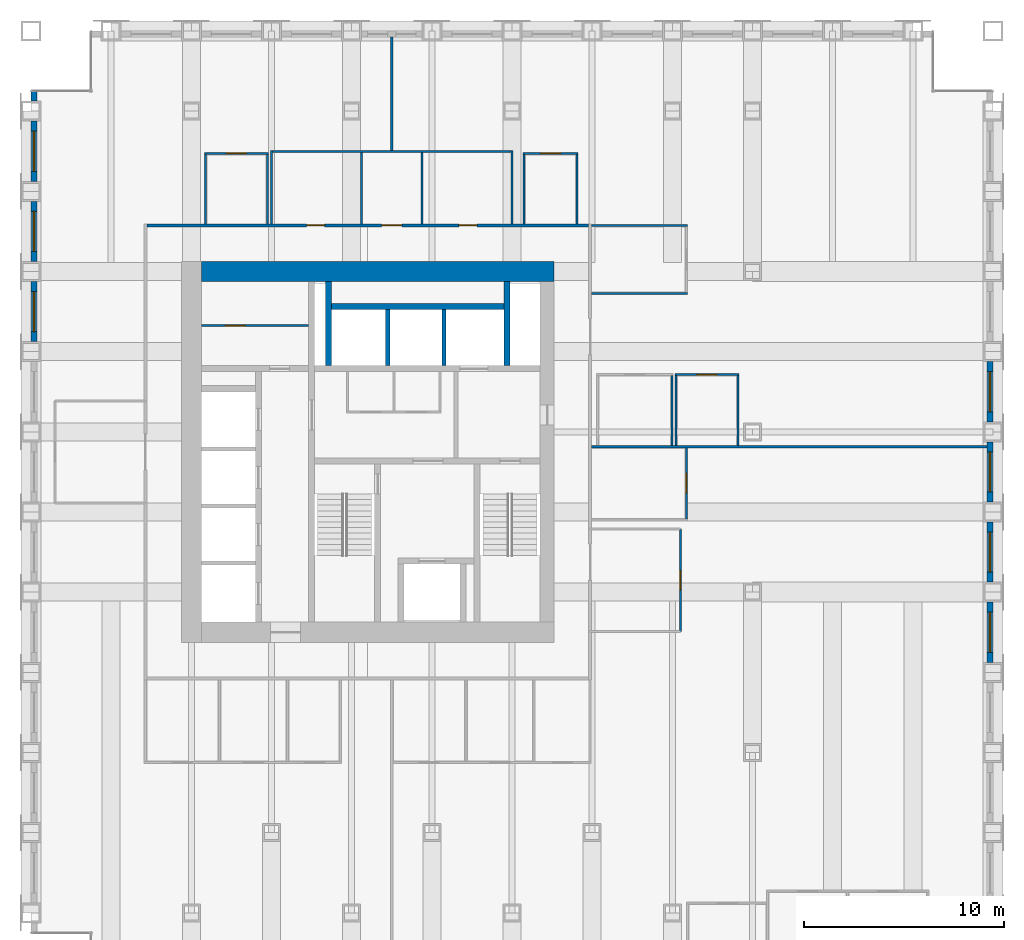
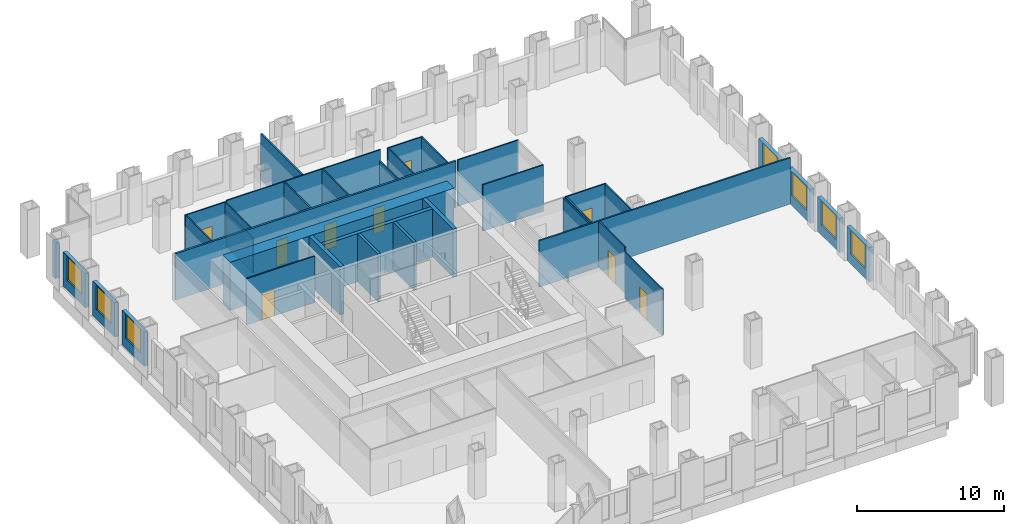
# One storey, part 13 of 16: 37 walls, 9 doors, 7 windows, 16 openings.
"""IFC4 building model written with IfcOpenShell, lengths in metres."""

from ifc_helpers import new_model, si_unit, direction, frame, frame_2d, origin, place, context, subcontext, project, spatial, rectangle, extrude, material, layer, layer_set, type_object, element, fill, save


model = new_model("IFC4")

# Units and contexts
model_context = context("Model", 3, precision=1e-05, world=origin(), true_north=direction((0.0, 1.0)))
body_context = subcontext(model_context, "Body", "Model", "MODEL_VIEW")
ifc_project = project(units=[si_unit("LENGTHUNIT", "METRE"), si_unit("AREAUNIT", "SQUARE_METRE"), si_unit("VOLUMEUNIT", "CUBIC_METRE"), si_unit("PLANEANGLEUNIT", "RADIAN"), si_unit("MASSUNIT", "GRAM", prefix="KILO")], contexts=[model_context])

# Site, building, storey
site_placement = place(None, origin())
site = spatial("IfcSite", under=ifc_project, at=site_placement, CompositionType="ELEMENT")
building_placement = place(site_placement, origin())
building = spatial("IfcBuilding", under=site, at=building_placement, Name="Rimbunsela Tower", CompositionType="ELEMENT")
storey_placement = place(building_placement, frame((0.0, 0.0, 93.39990234375)))
storey = spatial("IfcBuildingStorey", under=building, at=storey_placement, Name="L22", CompositionType="ELEMENT", Elevation=93.39990234375)

# Walls
ifc_material_1 = material(Name="Concrete fc' 80 MPa", Category="concrete")
ifc_layer_1 = layer(ifc_material_1, 0.300048828125)
ifc_layer_set_1 = layer_set([ifc_layer_1], Name="Core internal wall 300")
wall_type_1 = type_object("IfcWallType", Name="Core internal wall 300", PredefinedType="SHEAR", material=ifc_layer_set_1)
for number, where, z_axis, x_axis, name in (
    (1, (24.85009765625, 31.300048828125, -0.14990234375), (0.0, 0.0, 1.0), (0.0, 1.0, 0.0), "Riser wall"),
    (2, (33.75, 31.300048828125, -0.14990234375), (0.0, 0.0, 1.0), (0.0, 1.0, 0.0), "Riser wall"),
):
    element("IfcWall", number, at=place(storey_placement, frame(where, z_axis=z_axis, x_axis=x_axis)), inside=storey, type_object=wall_type_1, Name=name, PredefinedType="SHEAR", context=body_context, shape_type="SweptSolid", body=[
        extrude(rectangle(XDim=4.199951171875, YDim=0.300048828125, at=frame_2d((2.10009765625, 0.0))), origin(), (0.0, 0.0, 1.0), 4.0),
    ])
wall_1_placement = place(storey_placement, frame((25.0, 34.25, -0.14990234375), z_axis=(0.0, 0.0, 1.0), x_axis=(1.0, 0.0, 0.0)))
element("IfcWall", 3, at=wall_1_placement, inside=storey, type_object=wall_type_1, Name="Lift shaft rear north", PredefinedType="SHEAR", context=body_context, shape_type="SweptSolid", body=[
    extrude(rectangle(XDim=8.60009765625, YDim=0.300048828125, at=frame_2d((4.300048828125, 0.0))), origin(), (0.0, 0.0, 1.0), 4.0),
])

# Wall, opening, door
ifc_material_2 = material(Name="Concrete blockwork", Category="masonry")
ifc_layer_2 = layer(ifc_material_2, 0.10009765625)
ifc_layer_set_2 = layer_set([ifc_layer_2], Name="Core room partition 100")
wall_type_2 = type_object("IfcWallType", Name="Core room partition 100", PredefinedType="PARTITIONING", material=ifc_layer_set_2)
wall_2_placement = place(storey_placement, frame((18.5, 33.300048828125, 0.0), z_axis=(0.0, 0.0, 1.0), x_axis=(1.0, 0.0, 0.0)))
wall_2 = element("IfcWall", 4, at=wall_2_placement, inside=storey, type_object=wall_type_2, Name="Tenant store wall", PredefinedType="PARTITIONING", context=body_context, shape_type="SweptSolid", body=[
    extrude(rectangle(XDim=5.35009765625, YDim=0.10009765625, at=frame_2d((2.675048828125, 0.0))), origin(), (0.0, 0.0, 1.0), 3.85009765625),
])
opening_1_placement = place(wall_2_placement, frame((1.199951171875, 0.0, 0.0)))
opening_1 = element("IfcOpeningElement", 5, at=opening_1_placement, cuts=wall_2, Name="Opening D19", PredefinedType="OPENING", context=body_context, shape_type="SweptSolid", body=[
    extrude(rectangle(XDim=1.0, YDim=2.199951171875, at=frame_2d((0.5, 1.10009765625))), frame((0.0, 0.06005859375, 0.0), z_axis=(0.0, -1.0, 0.0), x_axis=(1.0, 0.0, 0.0)), (0.0, 0.0, 1.0), 0.1201171875),
])
ifc_material_3 = material(Name="Steel door, fire rated", Category="steel")
door_type_1 = type_object("IfcDoorType", Name="Service door 1000 fire rated", OperationType="SINGLE_SWING_LEFT", PredefinedType="DOOR", material=ifc_material_3)
door_1_placement = place(opening_1_placement, origin())
door_1 = element("IfcDoor", 6, at=door_1_placement, inside=storey, type_object=door_type_1, Name="Tenant store door", OperationType="SINGLE_SWING_LEFT", OverallHeight=2.199951171875, OverallWidth=1.0, PredefinedType="DOOR", context=body_context, shape_type="SweptSolid", body=[
    extrude(rectangle(XDim=1.0, YDim=2.199951171875, at=frame_2d((0.5, 1.10009765625))), frame((0.0, 0.02490234375, 0.0), z_axis=(0.0, -1.0, 0.0), x_axis=(1.0, 0.0, 0.0)), (0.0, 0.0, 1.0), 0.050048828125),
])
fill(opening_1, door_1)

# Walls
ifc_material_4 = material(Name="Concrete fc' 80 MPa", Category="concrete")
ifc_layer_3 = layer(ifc_material_4, 1.0)
ifc_layer_set_3 = layer_set([ifc_layer_3], Name="Core wall 1000")
wall_type_3 = type_object("IfcWallType", Name="Core wall 1000", PredefinedType="SHEAR", material=ifc_layer_set_3)
wall_3_placement = place(storey_placement, frame((18.5, 36.0, -0.14990234375), z_axis=(0.0, 0.0, 1.0), x_axis=(1.0, 0.0, 0.0)))
element("IfcWall", 7, at=wall_3_placement, inside=storey, type_object=wall_type_3, Name="Core wall north", PredefinedType="SHEAR", context=body_context, shape_type="SweptSolid", body=[
    extrude(rectangle(XDim=17.60009765625, YDim=1.0, at=frame_2d((8.800048828125, 0.0))), origin(), (0.0, 0.0, 1.0), 4.0),
])
ifc_material_5 = material(Name="Concrete blockwork", Category="masonry")
ifc_layer_4 = layer(ifc_material_5, 0.199951171875)
ifc_layer_set_4 = layer_set([ifc_layer_4], Name="Lift shaft wall 200")
wall_type_4 = type_object("IfcWallType", Name="Lift shaft wall 200", PredefinedType="SOLIDWALL", material=ifc_layer_set_4)
for number, where, z_axis, x_axis, name in (
    (8, (27.800048828125, 31.300048828125, -0.14990234375), (0.0, 0.0, 1.0), (0.0, 1.0, 0.0), "Lift shaft separation"),
    (9, (30.60009765625, 31.300048828125, -0.14990234375), (0.0, 0.0, 1.0), (0.0, 1.0, 0.0), "Lift shaft separation"),
):
    element("IfcWall", number, at=place(storey_placement, frame(where, z_axis=z_axis, x_axis=x_axis)), inside=storey, type_object=wall_type_4, Name=name, PredefinedType="SOLIDWALL", context=body_context, shape_type="SweptSolid", body=[
        extrude(rectangle(XDim=2.800048828125, YDim=0.199951171875, at=frame_2d((1.39990234375, 0.0))), origin(), (0.0, 0.0, 1.0), 4.0),
    ])

# Wall, opening, door
ifc_material_6 = material(Name="Gypsum board on steel studs", Category="steel")
ifc_layer_5 = layer(ifc_material_6, 0.10009765625)
ifc_layer_set_5 = layer_set([ifc_layer_5], Name="Office partition 100")
wall_type_5 = type_object("IfcWallType", Name="Office partition 100", PredefinedType="PARTITIONING", material=ifc_layer_set_5)
wall_4_placement = place(storey_placement, frame((42.125, 30.85009765625, 0.0), z_axis=(0.0, 0.0, 1.0), x_axis=(1.0, 0.0, 0.0)))
wall_4 = element("IfcWall", 10, at=wall_4_placement, inside=storey, type_object=wall_type_5, Name="Office partition", PredefinedType="PARTITIONING", context=body_context, shape_type="SweptSolid", body=[
    extrude(rectangle(XDim=3.199951171875, YDim=0.10009765625, at=frame_2d((1.60009765625, 0.0))), origin(), (0.0, 0.0, 1.0), 3.85009765625),
])
opening_2_placement = place(wall_4_placement, frame((1.10009765625, 0.0, 0.0)))
opening_2 = element("IfcOpeningElement", 11, at=opening_2_placement, cuts=wall_4, Name="Opening D16", PredefinedType="OPENING", context=body_context, shape_type="SweptSolid", body=[
    extrude(rectangle(XDim=1.0, YDim=2.199951171875, at=frame_2d((0.5, 1.10009765625))), frame((0.0, 0.06005859375, 0.0), z_axis=(0.0, -1.0, 0.0), x_axis=(1.0, 0.0, 0.0)), (0.0, 0.0, 1.0), 0.1201171875),
])
ifc_material_7 = material(Name="Timber door", Category="wood")
door_type_2 = type_object("IfcDoorType", Name="Office door 1000", OperationType="SINGLE_SWING_LEFT", PredefinedType="DOOR", material=ifc_material_7)
door_2_placement = place(opening_2_placement, origin())
door_2 = element("IfcDoor", 12, at=door_2_placement, inside=storey, type_object=door_type_2, Name="Office door", OperationType="SINGLE_SWING_LEFT", OverallHeight=2.199951171875, OverallWidth=1.0, PredefinedType="DOOR", context=body_context, shape_type="SweptSolid", body=[
    extrude(rectangle(XDim=1.0, YDim=2.199951171875, at=frame_2d((0.5, 1.10009765625))), frame((0.0, 0.02490234375, 0.0), z_axis=(0.0, -1.0, 0.0), x_axis=(1.0, 0.0, 0.0)), (0.0, 0.0, 1.0), 0.050048828125),
])
fill(opening_2, door_2)

# Walls
for number, where, z_axis, x_axis, name in (
    (13, (37.97509765625, 34.89990234375, 0.0), (0.0, 0.0, 1.0), (1.0, 0.0, 0.0), "Office partition"),
    (14, (37.97509765625, 38.300048828125, 0.0), (0.0, 0.0, 1.0), (1.0, 0.0, 0.0), "Office partition"),
):
    element("IfcWall", number, at=place(storey_placement, frame(where, z_axis=z_axis, x_axis=x_axis)), inside=storey, type_object=wall_type_5, Name=name, PredefinedType="PARTITIONING", context=body_context, shape_type="SweptSolid", body=[
        extrude(rectangle(XDim=4.77490234375, YDim=0.10009765625, at=frame_2d((2.387451171875, 0.0))), origin(), (0.0, 0.0, 1.0), 3.85009765625),
    ])

# Wall, opening, door
wall_5_placement = place(storey_placement, frame((18.64990234375, 41.89990234375, 0.0), z_axis=(0.0, 0.0, 1.0), x_axis=(1.0, 0.0, 0.0)))
wall_5 = element("IfcWall", 15, at=wall_5_placement, inside=storey, type_object=wall_type_5, Name="Office partition", PredefinedType="PARTITIONING", context=body_context, shape_type="SweptSolid", body=[
    extrude(rectangle(XDim=3.2001953125, YDim=0.10009765625, at=frame_2d((1.60009765625, 0.0))), origin(), (0.0, 0.0, 1.0), 3.85009765625),
])
opening_3_placement = place(wall_5_placement, frame((1.10009765625, 0.0, 0.0)))
opening_3 = element("IfcOpeningElement", 16, at=opening_3_placement, cuts=wall_5, Name="Opening D16", PredefinedType="OPENING", context=body_context, shape_type="SweptSolid", body=[
    extrude(rectangle(XDim=1.0, YDim=2.199951171875, at=frame_2d((0.5, 1.10009765625))), frame((0.0, 0.06005859375, 0.0), z_axis=(0.0, -1.0, 0.0), x_axis=(1.0, 0.0, 0.0)), (0.0, 0.0, 1.0), 0.1201171875),
])
door_3_placement = place(opening_3_placement, origin())
door_3 = element("IfcDoor", 17, at=door_3_placement, inside=storey, type_object=door_type_2, Name="Office door", OperationType="SINGLE_SWING_LEFT", OverallHeight=2.199951171875, OverallWidth=1.0, PredefinedType="DOOR", context=body_context, shape_type="SweptSolid", body=[
    extrude(rectangle(XDim=1.0, YDim=2.199951171875, at=frame_2d((0.5, 1.10009765625))), frame((0.0, 0.02490234375, 0.0), z_axis=(0.0, -1.0, 0.0), x_axis=(1.0, 0.0, 0.0)), (0.0, 0.0, 1.0), 0.050048828125),
])
fill(opening_3, door_3)

wall_6_placement = place(storey_placement, frame((34.550048828125, 41.89990234375, 0.0), z_axis=(0.0, 0.0, 1.0), x_axis=(1.0, 0.0, 0.0)))
wall_6 = element("IfcWall", 18, at=wall_6_placement, inside=storey, type_object=wall_type_5, Name="Office partition", PredefinedType="PARTITIONING", context=body_context, shape_type="SweptSolid", body=[
    extrude(rectangle(XDim=2.75, YDim=0.10009765625, at=frame_2d((1.375, 0.0))), origin(), (0.0, 0.0, 1.0), 3.85009765625),
])
opening_4_placement = place(wall_6_placement, frame((0.875, 0.0, 0.0)))
opening_4 = element("IfcOpeningElement", 19, at=opening_4_placement, cuts=wall_6, Name="Opening D16", PredefinedType="OPENING", context=body_context, shape_type="SweptSolid", body=[
    extrude(rectangle(XDim=1.0, YDim=2.199951171875, at=frame_2d((0.5, 1.10009765625))), frame((0.0, 0.06005859375, 0.0), z_axis=(0.0, -1.0, 0.0), x_axis=(1.0, 0.0, 0.0)), (0.0, 0.0, 1.0), 0.1201171875),
])
door_4_placement = place(opening_4_placement, origin())
door_4 = element("IfcDoor", 20, at=door_4_placement, inside=storey, type_object=door_type_2, Name="Office door", OperationType="SINGLE_SWING_LEFT", OverallHeight=2.199951171875, OverallWidth=1.0, PredefinedType="DOOR", context=body_context, shape_type="SweptSolid", body=[
    extrude(rectangle(XDim=1.0, YDim=2.199951171875, at=frame_2d((0.5, 1.10009765625))), frame((0.0, 0.02490234375, 0.0), z_axis=(0.0, -1.0, 0.0), x_axis=(1.0, 0.0, 0.0)), (0.0, 0.0, 1.0), 0.050048828125),
])
fill(opening_4, door_4)

# Walls
for number, where, z_axis, x_axis, name in (
    (21, (18.699951171875, 38.375, 0.0), (0.0, 0.0, 1.0), (0.0, 1.0, 0.0), "Office partition"),
    (22, (21.800048828125, 38.375, 0.0), (0.0, 0.0, 1.0), (0.0, 1.0, 0.0), "Office partition"),
    (23, (34.60009765625, 38.375, 0.0), (0.0, 0.0, 1.0), (0.0, 1.0, 0.0), "Office partition"),
    (24, (37.25, 38.375, 0.0), (0.0, 0.0, 1.0), (0.0, 1.0, 0.0), "Office partition"),
):
    element("IfcWall", number, at=place(storey_placement, frame(where, z_axis=z_axis, x_axis=x_axis)), inside=storey, type_object=wall_type_5, Name=name, PredefinedType="PARTITIONING", context=body_context, shape_type="SweptSolid", body=[
        extrude(rectangle(XDim=3.47509765625, YDim=0.10009765625, at=frame_2d((1.737548828125, 0.0))), origin(), (0.0, 0.0, 1.0), 3.85009765625),
    ])
for number, where, z_axis, x_axis, name in (
    (25, (41.97509765625, 27.31005859375, 0.0), (0.0, 0.0, 1.0), (0.0, 1.0, 0.0), "Office partition"),
    (26, (42.175048828125, 27.31005859375, 0.0), (0.0, 0.0, 1.0), (0.0, 1.0, 0.0), "Office partition"),
):
    element("IfcWall", number, at=place(storey_placement, frame(where, z_axis=z_axis, x_axis=x_axis)), inside=storey, type_object=wall_type_5, Name=name, PredefinedType="PARTITIONING", context=body_context, shape_type="SweptSolid", body=[
        extrude(rectangle(XDim=3.489990234375, YDim=0.10009765625, at=frame_2d((1.7451171875, 0.0))), origin(), (0.0, 0.0, 1.0), 3.85009765625),
    ])

# Wall, opening, door
wall_7_placement = place(storey_placement, frame((42.699951171875, 23.64892578125, 0.0), z_axis=(0.0, 0.0, 1.0), x_axis=(0.0, 1.0, 0.0)))
wall_7 = element("IfcWall", 27, at=wall_7_placement, inside=storey, type_object=wall_type_5, Name="Office partition", PredefinedType="PARTITIONING", context=body_context, shape_type="SweptSolid", body=[
    extrude(rectangle(XDim=3.5400390625, YDim=0.10009765625, at=frame_2d((1.77001953125, 0.0))), origin(), (0.0, 0.0, 1.0), 3.85009765625),
])
opening_5_placement = place(wall_7_placement, frame((1.27490234375, 0.0, 0.0)))
opening_5 = element("IfcOpeningElement", 28, at=opening_5_placement, cuts=wall_7, Name="Opening D16", PredefinedType="OPENING", context=body_context, shape_type="SweptSolid", body=[
    extrude(rectangle(XDim=1.0, YDim=2.199951171875, at=frame_2d((0.5, 1.10009765625))), frame((0.0, 0.06005859375, 0.0), z_axis=(0.0, -1.0, 0.0), x_axis=(1.0, 0.0, 0.0)), (0.0, 0.0, 1.0), 0.1201171875),
])
door_5_placement = place(opening_5_placement, origin())
door_5 = element("IfcDoor", 29, at=door_5_placement, inside=storey, type_object=door_type_2, Name="Office door", OperationType="SINGLE_SWING_LEFT", OverallHeight=2.199951171875, OverallWidth=1.0, PredefinedType="DOOR", context=body_context, shape_type="SweptSolid", body=[
    extrude(rectangle(XDim=1.0, YDim=2.199951171875, at=frame_2d((0.5, 1.10009765625))), frame((0.0, 0.02490234375, 0.0), z_axis=(0.0, -1.0, 0.0), x_axis=(1.0, 0.0, 0.0)), (0.0, 0.0, 1.0), 0.050048828125),
])
fill(opening_5, door_5)

# Wall
wall_8_placement = place(storey_placement, frame((45.27490234375, 27.31005859375, 0.0), z_axis=(0.0, 0.0, 1.0), x_axis=(0.0, 1.0, 0.0)))
element("IfcWall", 30, at=wall_8_placement, inside=storey, type_object=wall_type_5, Name="Office partition", PredefinedType="PARTITIONING", context=body_context, shape_type="SweptSolid", body=[
    extrude(rectangle(XDim=3.489990234375, YDim=0.10009765625, at=frame_2d((1.7451171875, 0.0))), origin(), (0.0, 0.0, 1.0), 3.85009765625),
])

# Wall, opening, door
wall_9_placement = place(storey_placement, frame((42.39990234375, 18.049072265625, 0.0), z_axis=(0.0, 0.0, 1.0), x_axis=(0.0, 1.0, 0.0)))
wall_9 = element("IfcWall", 31, at=wall_9_placement, inside=storey, type_object=wall_type_5, Name="Office partition", PredefinedType="PARTITIONING", context=body_context, shape_type="SweptSolid", body=[
    extrude(rectangle(XDim=5.099853515625, YDim=0.10009765625, at=frame_2d((2.5498046875, 0.0))), origin(), (0.0, 0.0, 1.0), 3.85009765625),
])
opening_6_placement = place(wall_9_placement, frame((2.050048828125, 0.0, 0.0)))
opening_6 = element("IfcOpeningElement", 32, at=opening_6_placement, cuts=wall_9, Name="Opening D17", PredefinedType="OPENING", context=body_context, shape_type="SweptSolid", body=[
    extrude(rectangle(XDim=1.0, YDim=2.199951171875, at=frame_2d((0.5, 1.10009765625))), frame((0.0, 0.06005859375, 0.0), z_axis=(0.0, -1.0, 0.0), x_axis=(1.0, 0.0, 0.0)), (0.0, 0.0, 1.0), 0.1201171875),
])
ifc_material_8 = material(Name="Glazed aluminium door", Category="aluminium")
door_type_3 = type_object("IfcDoorType", Name="Meeting room door 1000 glazed", OperationType="SINGLE_SWING_RIGHT", PredefinedType="DOOR", material=ifc_material_8)
door_6_placement = place(opening_6_placement, origin())
door_6 = element("IfcDoor", 33, at=door_6_placement, inside=storey, type_object=door_type_3, Name="Reception door", OperationType="SINGLE_SWING_RIGHT", OverallHeight=2.199951171875, OverallWidth=1.0, PredefinedType="DOOR", context=body_context, shape_type="SweptSolid", body=[
    extrude(rectangle(XDim=1.0, YDim=2.199951171875, at=frame_2d((0.5, 1.10009765625))), frame((0.0, 0.02490234375, 0.0), z_axis=(0.0, -1.0, 0.0), x_axis=(1.0, 0.0, 0.0)), (0.0, 0.0, 1.0), 0.050048828125),
])
fill(opening_6, door_6)

# Wall, opening, window
ifc_material_9 = material(Name="Precast concrete fc' 35 MPa", Category="concrete")
ifc_layer_6 = layer(ifc_material_9, 0.300048828125)
ifc_layer_set_6 = layer_set([ifc_layer_6], Name="Precast concrete fc' 35 MPa")
wall_type_6 = type_object("IfcWallType", Name="Precast facade panel 300", PredefinedType="ELEMENTEDWALL", material=ifc_layer_set_6)
wall_10_placement = place(storey_placement, frame((57.85009765625, 16.5, 0.0), z_axis=(0.0, 0.0, 1.0), x_axis=(0.0, 1.0, 0.0)))
wall_10 = element("IfcWall", 34, at=wall_10_placement, inside=storey, type_object=wall_type_6, Name="Facade panel E L22", PredefinedType="ELEMENTEDWALL", context=body_context, shape_type="SweptSolid", body=[
    extrude(rectangle(XDim=3.0, YDim=0.300048828125, at=frame_2d((1.5, 0.0))), origin(), (0.0, 0.0, 1.0), 2.85009765625),
])
opening_7_placement = place(wall_10_placement, frame((0.5, 0.0, 0.800048828125)))
opening_7 = element("IfcOpeningElement", 35, at=opening_7_placement, cuts=wall_10, Name="Opening W1", PredefinedType="OPENING", context=body_context, shape_type="SweptSolid", body=[
    extrude(rectangle(XDim=2.0, YDim=2.0, at=frame_2d((1.0, 1.0))), frame((0.0, 0.159912109375, 0.0), z_axis=(0.0, -1.0, 0.0), x_axis=(1.0, 0.0, 0.0)), (0.0, 0.0, 1.0), 0.320068359375),
])
ifc_material_10 = material(Name="Clear glass in aluminium frame", Category="aluminium")
window_type = type_object("IfcWindowType", Name="Window W1 2000x2000", PartitioningType="DOUBLE_PANEL_VERTICAL", PredefinedType="WINDOW", material=ifc_material_10)
window_1_placement = place(opening_7_placement, origin())
window_1 = element("IfcWindow", 36, at=window_1_placement, inside=storey, type_object=window_type, Name="Window L22", OverallHeight=2.0, OverallWidth=2.0, PartitioningType="SINGLE_PANEL", PredefinedType="WINDOW", context=body_context, shape_type="SweptSolid", body=[
    extrude(rectangle(XDim=2.0, YDim=2.0, at=frame_2d((1.0, 1.0))), frame((0.0, 0.030029296875, 0.0), z_axis=(0.0, -1.0, 0.0), x_axis=(1.0, 0.0, 0.0)), (0.0, 0.0, 1.0), 0.06005859375),
])
fill(opening_7, window_1)

wall_11_placement = place(storey_placement, frame((57.85009765625, 20.5, 0.0), z_axis=(0.0, 0.0, 1.0), x_axis=(0.0, 1.0, 0.0)))
wall_11 = element("IfcWall", 37, at=wall_11_placement, inside=storey, type_object=wall_type_6, Name="Facade panel E L22", PredefinedType="ELEMENTEDWALL", context=body_context, shape_type="SweptSolid", body=[
    extrude(rectangle(XDim=3.0, YDim=0.300048828125, at=frame_2d((1.5, 0.0))), origin(), (0.0, 0.0, 1.0), 2.85009765625),
])
opening_8_placement = place(wall_11_placement, frame((0.5, 0.0, 0.800048828125)))
opening_8 = element("IfcOpeningElement", 38, at=opening_8_placement, cuts=wall_11, Name="Opening W1", PredefinedType="OPENING", context=body_context, shape_type="SweptSolid", body=[
    extrude(rectangle(XDim=2.0, YDim=2.0, at=frame_2d((1.0, 1.0))), frame((0.0, 0.159912109375, 0.0), z_axis=(0.0, -1.0, 0.0), x_axis=(1.0, 0.0, 0.0)), (0.0, 0.0, 1.0), 0.320068359375),
])
window_2_placement = place(opening_8_placement, origin())
window_2 = element("IfcWindow", 39, at=window_2_placement, inside=storey, type_object=window_type, Name="Window L22", OverallHeight=2.0, OverallWidth=2.0, PartitioningType="SINGLE_PANEL", PredefinedType="WINDOW", context=body_context, shape_type="SweptSolid", body=[
    extrude(rectangle(XDim=2.0, YDim=2.0, at=frame_2d((1.0, 1.0))), frame((0.0, 0.030029296875, 0.0), z_axis=(0.0, -1.0, 0.0), x_axis=(1.0, 0.0, 0.0)), (0.0, 0.0, 1.0), 0.06005859375),
])
fill(opening_8, window_2)

wall_12_placement = place(storey_placement, frame((57.85009765625, 24.5, 0.0), z_axis=(0.0, 0.0, 1.0), x_axis=(0.0, 1.0, 0.0)))
wall_12 = element("IfcWall", 40, at=wall_12_placement, inside=storey, type_object=wall_type_6, Name="Facade panel E L22", PredefinedType="ELEMENTEDWALL", context=body_context, shape_type="SweptSolid", body=[
    extrude(rectangle(XDim=3.0, YDim=0.300048828125, at=frame_2d((1.5, 0.0))), origin(), (0.0, 0.0, 1.0), 2.85009765625),
])
opening_9_placement = place(wall_12_placement, frame((0.5, 0.0, 0.800048828125)))
opening_9 = element("IfcOpeningElement", 41, at=opening_9_placement, cuts=wall_12, Name="Opening W1", PredefinedType="OPENING", context=body_context, shape_type="SweptSolid", body=[
    extrude(rectangle(XDim=2.0, YDim=2.0, at=frame_2d((1.0, 1.0))), frame((0.0, 0.159912109375, 0.0), z_axis=(0.0, -1.0, 0.0), x_axis=(1.0, 0.0, 0.0)), (0.0, 0.0, 1.0), 0.320068359375),
])
window_3_placement = place(opening_9_placement, origin())
window_3 = element("IfcWindow", 42, at=window_3_placement, inside=storey, type_object=window_type, Name="Window L22", OverallHeight=2.0, OverallWidth=2.0, PartitioningType="SINGLE_PANEL", PredefinedType="WINDOW", context=body_context, shape_type="SweptSolid", body=[
    extrude(rectangle(XDim=2.0, YDim=2.0, at=frame_2d((1.0, 1.0))), frame((0.0, 0.030029296875, 0.0), z_axis=(0.0, -1.0, 0.0), x_axis=(1.0, 0.0, 0.0)), (0.0, 0.0, 1.0), 0.06005859375),
])
fill(opening_9, window_3)

wall_13_placement = place(storey_placement, frame((57.85009765625, 28.5, 0.0), z_axis=(0.0, 0.0, 1.0), x_axis=(0.0, 1.0, 0.0)))
wall_13 = element("IfcWall", 43, at=wall_13_placement, inside=storey, type_object=wall_type_6, Name="Facade panel E L22", PredefinedType="ELEMENTEDWALL", context=body_context, shape_type="SweptSolid", body=[
    extrude(rectangle(XDim=3.0, YDim=0.300048828125, at=frame_2d((1.5, 0.0))), origin(), (0.0, 0.0, 1.0), 2.85009765625),
])
opening_10_placement = place(wall_13_placement, frame((0.5, 0.0, 0.800048828125)))
opening_10 = element("IfcOpeningElement", 44, at=opening_10_placement, cuts=wall_13, Name="Opening W1", PredefinedType="OPENING", context=body_context, shape_type="SweptSolid", body=[
    extrude(rectangle(XDim=2.0, YDim=2.0, at=frame_2d((1.0, 1.0))), frame((0.0, 0.159912109375, 0.0), z_axis=(0.0, -1.0, 0.0), x_axis=(1.0, 0.0, 0.0)), (0.0, 0.0, 1.0), 0.320068359375),
])
window_4_placement = place(opening_10_placement, origin())
window_4 = element("IfcWindow", 45, at=window_4_placement, inside=storey, type_object=window_type, Name="Window L22", OverallHeight=2.0, OverallWidth=2.0, PartitioningType="SINGLE_PANEL", PredefinedType="WINDOW", context=body_context, shape_type="SweptSolid", body=[
    extrude(rectangle(XDim=2.0, YDim=2.0, at=frame_2d((1.0, 1.0))), frame((0.0, 0.030029296875, 0.0), z_axis=(0.0, -1.0, 0.0), x_axis=(1.0, 0.0, 0.0)), (0.0, 0.0, 1.0), 0.06005859375),
])
fill(opening_10, window_4)

wall_14_placement = place(storey_placement, frame((10.14990234375, 35.5, 0.0), z_axis=(0.0, 0.0, 1.0), x_axis=(0.0, -1.0, 0.0)))
wall_14 = element("IfcWall", 46, at=wall_14_placement, inside=storey, type_object=wall_type_6, Name="Facade panel W L22", PredefinedType="ELEMENTEDWALL", context=body_context, shape_type="SweptSolid", body=[
    extrude(rectangle(XDim=3.0, YDim=0.300048828125, at=frame_2d((1.5, 0.0))), origin(), (0.0, 0.0, 1.0), 2.85009765625),
])
opening_11_placement = place(wall_14_placement, frame((0.5, 0.0, 0.800048828125)))
opening_11 = element("IfcOpeningElement", 47, at=opening_11_placement, cuts=wall_14, Name="Opening W1", PredefinedType="OPENING", context=body_context, shape_type="SweptSolid", body=[
    extrude(rectangle(XDim=2.0, YDim=2.0, at=frame_2d((1.0, 1.0))), frame((0.0, 0.159912109375, 0.0), z_axis=(0.0, -1.0, 0.0), x_axis=(1.0, 0.0, 0.0)), (0.0, 0.0, 1.0), 0.320068359375),
])
window_5_placement = place(opening_11_placement, origin())
window_5 = element("IfcWindow", 48, at=window_5_placement, inside=storey, type_object=window_type, Name="Window L22", OverallHeight=2.0, OverallWidth=2.0, PartitioningType="SINGLE_PANEL", PredefinedType="WINDOW", context=body_context, shape_type="SweptSolid", body=[
    extrude(rectangle(XDim=2.0, YDim=2.0, at=frame_2d((1.0, 1.0))), frame((0.0, 0.030029296875, 0.0), z_axis=(0.0, -1.0, 0.0), x_axis=(1.0, 0.0, 0.0)), (0.0, 0.0, 1.0), 0.06005859375),
])
fill(opening_11, window_5)

wall_15_placement = place(storey_placement, frame((10.14990234375, 39.5, 0.0), z_axis=(0.0, 0.0, 1.0), x_axis=(0.0, -1.0, 0.0)))
wall_15 = element("IfcWall", 49, at=wall_15_placement, inside=storey, type_object=wall_type_6, Name="Facade panel W L22", PredefinedType="ELEMENTEDWALL", context=body_context, shape_type="SweptSolid", body=[
    extrude(rectangle(XDim=3.0, YDim=0.300048828125, at=frame_2d((1.5, 0.0))), origin(), (0.0, 0.0, 1.0), 2.85009765625),
])
opening_12_placement = place(wall_15_placement, frame((0.5, 0.0, 0.800048828125)))
opening_12 = element("IfcOpeningElement", 50, at=opening_12_placement, cuts=wall_15, Name="Opening W1", PredefinedType="OPENING", context=body_context, shape_type="SweptSolid", body=[
    extrude(rectangle(XDim=2.0, YDim=2.0, at=frame_2d((1.0, 1.0))), frame((0.0, 0.159912109375, 0.0), z_axis=(0.0, -1.0, 0.0), x_axis=(1.0, 0.0, 0.0)), (0.0, 0.0, 1.0), 0.320068359375),
])
window_6_placement = place(opening_12_placement, origin())
window_6 = element("IfcWindow", 51, at=window_6_placement, inside=storey, type_object=window_type, Name="Window L22", OverallHeight=2.0, OverallWidth=2.0, PartitioningType="SINGLE_PANEL", PredefinedType="WINDOW", context=body_context, shape_type="SweptSolid", body=[
    extrude(rectangle(XDim=2.0, YDim=2.0, at=frame_2d((1.0, 1.0))), frame((0.0, 0.030029296875, 0.0), z_axis=(0.0, -1.0, 0.0), x_axis=(1.0, 0.0, 0.0)), (0.0, 0.0, 1.0), 0.06005859375),
])
fill(opening_12, window_6)

wall_16_placement = place(storey_placement, frame((10.14990234375, 43.5, 0.0), z_axis=(0.0, 0.0, 1.0), x_axis=(0.0, -1.0, 0.0)))
wall_16 = element("IfcWall", 52, at=wall_16_placement, inside=storey, type_object=wall_type_6, Name="Facade panel W L22", PredefinedType="ELEMENTEDWALL", context=body_context, shape_type="SweptSolid", body=[
    extrude(rectangle(XDim=3.0, YDim=0.300048828125, at=frame_2d((1.5, 0.0))), origin(), (0.0, 0.0, 1.0), 2.85009765625),
])
opening_13_placement = place(wall_16_placement, frame((0.5, 0.0, 0.800048828125)))
opening_13 = element("IfcOpeningElement", 53, at=opening_13_placement, cuts=wall_16, Name="Opening W1", PredefinedType="OPENING", context=body_context, shape_type="SweptSolid", body=[
    extrude(rectangle(XDim=2.0, YDim=2.0, at=frame_2d((1.0, 1.0))), frame((0.0, 0.159912109375, 0.0), z_axis=(0.0, -1.0, 0.0), x_axis=(1.0, 0.0, 0.0)), (0.0, 0.0, 1.0), 0.320068359375),
])
window_7_placement = place(opening_13_placement, origin())
window_7 = element("IfcWindow", 54, at=window_7_placement, inside=storey, type_object=window_type, Name="Window L22", OverallHeight=2.0, OverallWidth=2.0, PartitioningType="SINGLE_PANEL", PredefinedType="WINDOW", context=body_context, shape_type="SweptSolid", body=[
    extrude(rectangle(XDim=2.0, YDim=2.0, at=frame_2d((1.0, 1.0))), frame((0.0, 0.030029296875, 0.0), z_axis=(0.0, -1.0, 0.0), x_axis=(1.0, 0.0, 0.0)), (0.0, 0.0, 1.0), 0.06005859375),
])
fill(opening_13, window_7)

# Wall
wall_17_placement = place(storey_placement, frame((10.14990234375, 44.969970703125, 0.0), z_axis=(0.0, 0.0, 1.0), x_axis=(0.0, -1.0, 0.0)))
element("IfcWall", 55, at=wall_17_placement, inside=storey, type_object=wall_type_6, Name="Facade panel W L22", PredefinedType="ELEMENTEDWALL", context=body_context, shape_type="SweptSolid", body=[
    extrude(rectangle(XDim=0.469970703125, YDim=0.300048828125, at=frame_2d((0.23486328125, 0.0))), origin(), (0.0, 0.0, 1.0), 2.9501953125),
])

# Wall, openings, doors
ifc_material_11 = material(Name="Fire-rated gypsum board on steel studs, EI 60", Category="steel")
ifc_layer_7 = layer(ifc_material_11, 0.14990234375)
ifc_layer_set_7 = layer_set([ifc_layer_7], Name="Rated corridor wall 150")
wall_type_7 = type_object("IfcWallType", Name="Rated corridor wall 150", PredefinedType="PARTITIONING", material=ifc_layer_set_7)
wall_18_placement = place(storey_placement, frame((15.77490234375, 38.300048828125, 0.0), z_axis=(0.0, 0.0, 1.0), x_axis=(1.0, 0.0, 0.0)))
wall_18 = element("IfcWall", 56, at=wall_18_placement, inside=storey, type_object=wall_type_7, Name="Corridor wall north", PredefinedType="PARTITIONING", context=body_context, shape_type="SweptSolid", body=[
    extrude(rectangle(XDim=22.050048828125, YDim=0.14990234375, at=frame_2d((11.02490234375, 0.0))), origin(), (0.0, 0.0, 1.0), 3.85009765625),
])
opening_14_placement = place(wall_18_placement, frame((7.97509765625, 0.0, 0.0)))
opening_14 = element("IfcOpeningElement", 57, at=opening_14_placement, cuts=wall_18, Name="Opening D04", PredefinedType="OPENING", context=body_context, shape_type="SweptSolid", body=[
    extrude(rectangle(XDim=0.89990234375, YDim=2.10009765625, at=frame_2d((0.449951171875, 1.050048828125))), frame((0.0, 0.0849609375, 0.0), z_axis=(0.0, -1.0, 0.0), x_axis=(1.0, 0.0, 0.0)), (0.0, 0.0, 1.0), 0.169921875),
])
opening_15_placement = place(wall_18_placement, frame((11.72509765625, 0.0, 0.0)))
opening_15 = element("IfcOpeningElement", 58, at=opening_15_placement, cuts=wall_18, Name="Opening D05", PredefinedType="OPENING", context=body_context, shape_type="SweptSolid", body=[
    extrude(rectangle(XDim=1.0, YDim=2.10009765625, at=frame_2d((0.5, 1.050048828125))), frame((0.0, 0.0849609375, 0.0), z_axis=(0.0, -1.0, 0.0), x_axis=(1.0, 0.0, 0.0)), (0.0, 0.0, 1.0), 0.169921875),
])
opening_16_placement = place(wall_18_placement, frame((15.574951171875, 0.0, 0.0)))
opening_16 = element("IfcOpeningElement", 59, at=opening_16_placement, cuts=wall_18, Name="Opening D04", PredefinedType="OPENING", context=body_context, shape_type="SweptSolid", body=[
    extrude(rectangle(XDim=0.89990234375, YDim=2.10009765625, at=frame_2d((0.449951171875, 1.050048828125))), frame((0.0, 0.0849609375, 0.0), z_axis=(0.0, -1.0, 0.0), x_axis=(1.0, 0.0, 0.0)), (0.0, 0.0, 1.0), 0.169921875),
])
ifc_material_12 = material(Name="Timber door", Category="wood")
door_type_4 = type_object("IfcDoorType", Name="Accessible WC door 1000", OperationType="SLIDING_TO_LEFT", PredefinedType="DOOR", material=ifc_material_12)
door_7_placement = place(opening_15_placement, origin())
door_7 = element("IfcDoor", 60, at=door_7_placement, inside=storey, type_object=door_type_4, Name="Accessible WC door", OperationType="SLIDING_TO_LEFT", OverallHeight=2.10009765625, OverallWidth=1.0, PredefinedType="DOOR", context=body_context, shape_type="SweptSolid", body=[
    extrude(rectangle(XDim=1.0, YDim=2.10009765625, at=frame_2d((0.5, 1.050048828125))), frame((0.0, 0.02490234375, 0.0), z_axis=(0.0, -1.0, 0.0), x_axis=(1.0, 0.0, 0.0)), (0.0, 0.0, 1.0), 0.050048828125),
])
fill(opening_15, door_7)
ifc_material_13 = material(Name="Timber door", Category="wood")
door_type_5 = type_object("IfcDoorType", Name="Toilet door 900", OperationType="SINGLE_SWING_LEFT", PredefinedType="DOOR", material=ifc_material_13)
door_8_placement = place(opening_14_placement, origin())
door_8 = element("IfcDoor", 61, at=door_8_placement, inside=storey, type_object=door_type_5, Name="Female WC door", OperationType="SINGLE_SWING_LEFT", OverallHeight=2.10009765625, OverallWidth=0.89990234375, PredefinedType="DOOR", context=body_context, shape_type="SweptSolid", body=[
    extrude(rectangle(XDim=0.89990234375, YDim=2.10009765625, at=frame_2d((0.449951171875, 1.050048828125))), frame((0.0, 0.02490234375, 0.0), z_axis=(0.0, -1.0, 0.0), x_axis=(1.0, 0.0, 0.0)), (0.0, 0.0, 1.0), 0.050048828125),
])
fill(opening_14, door_8)
door_9_placement = place(opening_16_placement, origin())
door_9 = element("IfcDoor", 62, at=door_9_placement, inside=storey, type_object=door_type_5, Name="Male WC door", OperationType="SINGLE_SWING_LEFT", OverallHeight=2.10009765625, OverallWidth=0.89990234375, PredefinedType="DOOR", context=body_context, shape_type="SweptSolid", body=[
    extrude(rectangle(XDim=0.89990234375, YDim=2.10009765625, at=frame_2d((0.449951171875, 1.050048828125))), frame((0.0, 0.02490234375, 0.0), z_axis=(0.0, -1.0, 0.0), x_axis=(1.0, 0.0, 0.0)), (0.0, 0.0, 1.0), 0.050048828125),
])
fill(opening_16, door_9)

# Walls
ifc_material_14 = material(Name="Gypsum board on steel studs", Category="steel")
ifc_layer_8 = layer(ifc_material_14, 0.1201171875)
ifc_layer_set_8 = layer_set([ifc_layer_8], Name="Tenancy partition 120")
wall_type_8 = type_object("IfcWallType", Name="Tenancy partition 120", PredefinedType="PARTITIONING", material=ifc_layer_set_8)
wall_19_placement = place(storey_placement, frame((28.0, 42.050048828125, 0.0), z_axis=(0.0, 0.0, 1.0), x_axis=(0.0, 1.0, 0.0)))
element("IfcWall", 63, at=wall_19_placement, inside=storey, type_object=wall_type_8, Name="Tenancy partition north", PredefinedType="PARTITIONING", context=body_context, shape_type="SweptSolid", body=[
    extrude(rectangle(XDim=5.64990234375, YDim=0.1201171875, at=frame_2d((2.824951171875, 0.0))), origin(), (0.0, 0.0, 1.0), 3.85009765625),
])
wall_20_placement = place(storey_placement, frame((37.97509765625, 27.25, 0.0), z_axis=(0.0, 0.0, 1.0), x_axis=(1.0, 0.0, 0.0)))
element("IfcWall", 64, at=wall_20_placement, inside=storey, type_object=wall_type_8, Name="Tenancy partition", PredefinedType="PARTITIONING", context=body_context, shape_type="SweptSolid", body=[
    extrude(rectangle(XDim=19.724853515625, YDim=0.1201171875, at=frame_2d((9.8623046875, 0.0))), origin(), (0.0, 0.0, 1.0), 3.85009765625),
])
ifc_material_15 = material(Name="Concrete blockwork", Category="masonry")
ifc_layer_9 = layer(ifc_material_15, 0.10009765625)
ifc_layer_set_9 = layer_set([ifc_layer_9], Name="Toilet partition 100")
wall_type_9 = type_object("IfcWallType", Name="Toilet partition 100", PredefinedType="PARTITIONING", material=ifc_layer_set_9)
for number, where, z_axis, x_axis, name in (
    (65, (22.0, 38.375, 0.0), (0.0, 0.0, 1.0), (0.0, 1.0, 0.0), "Toilet block wall west"),
    (66, (34.0, 38.375, 0.0), (0.0, 0.0, 1.0), (0.0, 1.0, 0.0), "Toilet block wall east"),
):
    element("IfcWall", number, at=place(storey_placement, frame(where, z_axis=z_axis, x_axis=x_axis)), inside=storey, type_object=wall_type_9, Name=name, PredefinedType="PARTITIONING", context=body_context, shape_type="SweptSolid", body=[
        extrude(rectangle(XDim=3.675048828125, YDim=0.10009765625, at=frame_2d((1.83740234375, 0.0))), origin(), (0.0, 0.0, 1.0), 2.9501953125),
    ])
wall_21_placement = place(storey_placement, frame((21.949951171875, 42.0, 0.0), z_axis=(0.0, 0.0, 1.0), x_axis=(1.0, 0.0, 0.0)))
element("IfcWall", 67, at=wall_21_placement, inside=storey, type_object=wall_type_9, Name="Toilet block wall north", PredefinedType="PARTITIONING", context=body_context, shape_type="SweptSolid", body=[
    extrude(rectangle(XDim=12.10009765625, YDim=0.10009765625, at=frame_2d((6.050048828125, 0.0))), origin(), (0.0, 0.0, 1.0), 3.85009765625),
])
for number, where, z_axis, x_axis, name in (
    (68, (26.5, 38.375, 0.0), (0.0, 0.0, 1.0), (0.0, 1.0, 0.0), "Toilet partition"),
    (69, (29.5, 38.375, 0.0), (0.0, 0.0, 1.0), (0.0, 1.0, 0.0), "Toilet partition"),
):
    element("IfcWall", number, at=place(storey_placement, frame(where, z_axis=z_axis, x_axis=x_axis)), inside=storey, type_object=wall_type_9, Name=name, PredefinedType="PARTITIONING", context=body_context, shape_type="SweptSolid", body=[
        extrude(rectangle(XDim=3.574951171875, YDim=0.10009765625, at=frame_2d((1.78759765625, 0.0))), origin(), (0.0, 0.0, 1.0), 3.85009765625),
    ])

save(model, "model.ifc")
